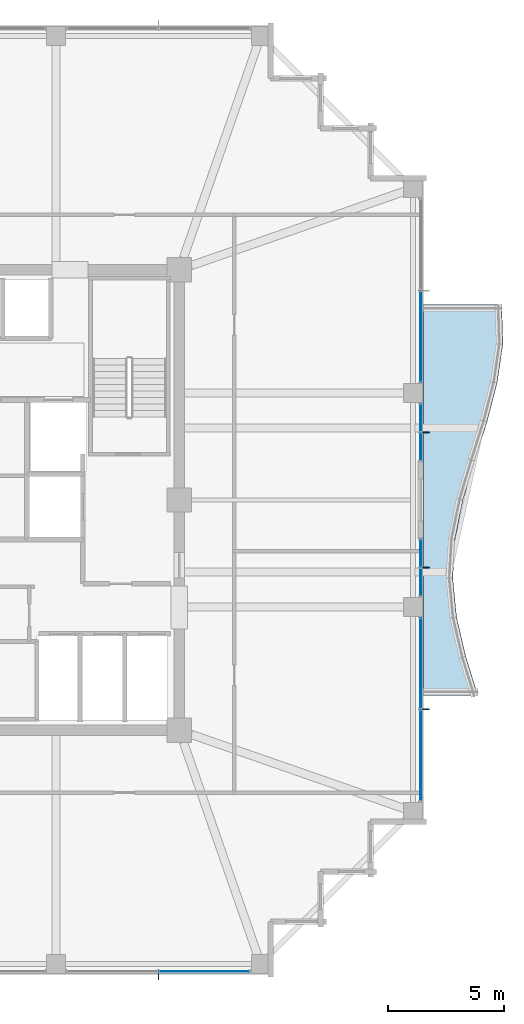
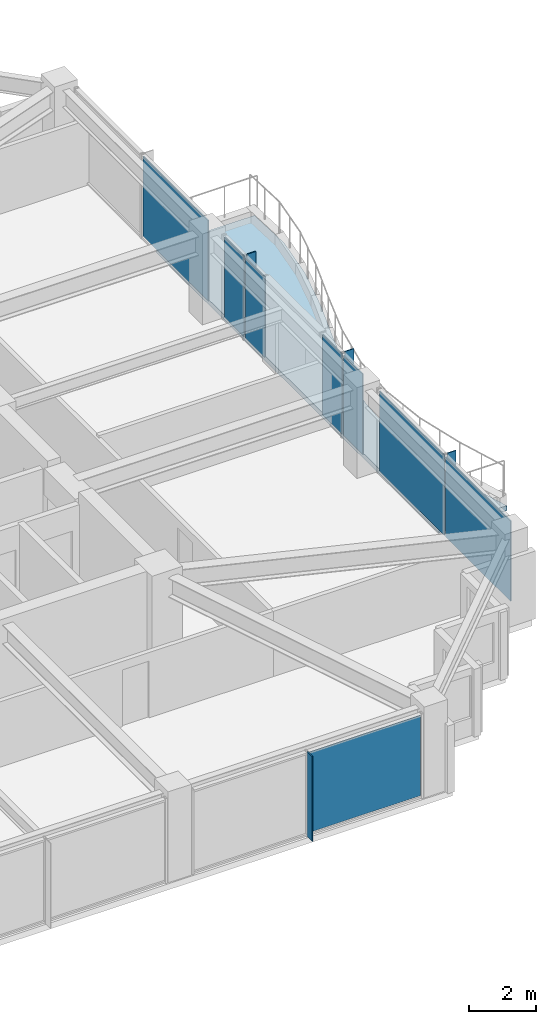
# One storey, part 25 of 34: 12 plates, 1 slab, 5 elements without a shape of their own.
"""IFC4 building model written with IfcOpenShell, lengths in metres."""

from ifc_helpers import new_model, si_unit, direction, frame, origin, origin_2d, place, context, subcontext, project, spatial, polyline, rectangle, outline, extrude, material, layer, layer_set, type_object, element, aggregate, save


model = new_model("IFC4")

# Units and contexts
model_context = context("Model", 3, precision=1e-05, world=origin(), true_north=direction((0.0, 1.0)))
body_context = subcontext(model_context, "Body", "Model", "MODEL_VIEW")
ifc_project = project(units=[si_unit("LENGTHUNIT", "METRE"), si_unit("AREAUNIT", "SQUARE_METRE"), si_unit("VOLUMEUNIT", "CUBIC_METRE"), si_unit("PLANEANGLEUNIT", "RADIAN"), si_unit("MASSUNIT", "GRAM", prefix="KILO")], contexts=[model_context])

# Site, building, storey
site_placement = place(None, origin())
site = spatial("IfcSite", under=ifc_project, at=site_placement, CompositionType="ELEMENT")
building_placement = place(site_placement, origin())
building = spatial("IfcBuilding", under=site, at=building_placement, Name="Kolvaren Belvedere", CompositionType="ELEMENT")
storey_placement = place(building_placement, frame((0.0, 0.0, 222.89990234375)))
storey = spatial("IfcBuildingStorey", under=building, at=storey_placement, Name="L65", CompositionType="ELEMENT", Elevation=222.89990234375)

# Curtain wall, plate
ifc_material_1 = material(Name="Anodised pale-metal aluminium AA 6063-T6", Category="aluminium")
curtain_wall_type = type_object("IfcCurtainWallType", Name="CW-Z5-HIGH", PredefinedType="NOTDEFINED", material=ifc_material_1)
curtain_wall_1_placement = place(storey_placement, origin())
curtain_wall_1 = element("IfcCurtainWall", 1, at=curtain_wall_1_placement, inside=storey, type_object=curtain_wall_type, Name="L65 Unitised Curtain Wall FCW-L65-S-B1", PredefinedType="NOTDEFINED")
ifc_material_2 = material(Name="Low-iron triple insulated glass", Category="glass")
ifc_layer_1 = layer(ifc_material_2, 0.028076171875)
ifc_layer_set_1 = layer_set([ifc_layer_1], Name="Low-iron triple insulated glass")
plate_type_1 = type_object("IfcPlateType", Name="CW-PNL-VIS28", PredefinedType="CURTAIN_PANEL", material=ifc_layer_set_1)
plate_1_placement = place(storey_placement, frame((10.972412109375, -20.280029296875, 0.080078125), z_axis=(0.0, 0.0, 1.0), x_axis=(-1.0, 0.0, 0.0)))
plate_1 = element("IfcPlate", 2, at=plate_1_placement, type_object=plate_type_1, Name="FCW-L65-S-B1 Vision Glazing Panel 1", PredefinedType="CURTAIN_PANEL", context=body_context, shape_type="SweptSolid", body=[
    extrude(rectangle(XDim=3.864990234375, YDim=0.028076171875, at=origin_2d()), origin(), (0.0, 0.0, 1.0), 2.919921875),
])
aggregate(curtain_wall_1, [plate_1])

curtain_wall_2_placement = place(storey_placement, origin())
curtain_wall_2 = element("IfcCurtainWall", 3, at=curtain_wall_2_placement, inside=storey, type_object=curtain_wall_type, Name="L65 Unitised Curtain Wall FCW-L65-E1-B1", PredefinedType="NOTDEFINED")
plate_2_placement = place(storey_placement, frame((20.280029296875, 7.027587890625, 0.080078125), z_axis=(0.0, 0.0, 1.0), x_axis=(0.0, -1.0, 0.0)))
plate_2 = element("IfcPlate", 4, at=plate_2_placement, type_object=plate_type_1, Name="FCW-L65-E1-B1 Vision Glazing Panel 2", PredefinedType="CURTAIN_PANEL", context=body_context, shape_type="SweptSolid", body=[
    extrude(rectangle(XDim=3.864990234375, YDim=0.028076171875, at=origin_2d()), origin(), (0.0, 0.0, 1.0), 2.919921875),
])
aggregate(curtain_wall_2, [plate_2])

# Curtain wall, plates
curtain_wall_3_placement = place(storey_placement, origin())
curtain_wall_3 = element("IfcCurtainWall", 5, at=curtain_wall_3_placement, inside=storey, type_object=curtain_wall_type, Name="L65 Unitised Curtain Wall FCW-L65-E1-B2", PredefinedType="NOTDEFINED")
plate_3_placement = place(storey_placement, frame((20.280029296875, 3.52880859375, 0.080078125), z_axis=(0.0, 0.0, 1.0), x_axis=(0.0, -1.0, 0.0)))
plate_3 = element("IfcPlate", 6, at=plate_3_placement, type_object=plate_type_1, Name="FCW-L65-E1-B2 Vision Glazing Panel 1", PredefinedType="CURTAIN_PANEL", context=body_context, shape_type="SweptSolid", body=[
    extrude(rectangle(XDim=1.152587890625, YDim=0.028076171875, at=origin_2d()), origin(), (0.0, 0.0, 1.0), 2.919921875),
])
plate_4_placement = place(storey_placement, frame((20.280029296875, 2.296142578125, 0.080078125), z_axis=(0.0, 0.0, 1.0), x_axis=(0.0, -1.0, 0.0)))
plate_4 = element("IfcPlate", 7, at=plate_4_placement, type_object=plate_type_1, Name="FCW-L65-E1-B2 Vision Glazing Panel 2", PredefinedType="CURTAIN_PANEL", context=body_context, shape_type="SweptSolid", body=[
    extrude(rectangle(XDim=1.152587890625, YDim=0.028076171875, at=origin_2d()), origin(), (0.0, 0.0, 1.0), 2.919921875),
])
aggregate(curtain_wall_3, [plate_3, plate_4])

curtain_wall_4_placement = place(storey_placement, origin())
curtain_wall_4 = element("IfcCurtainWall", 8, at=curtain_wall_4_placement, inside=storey, type_object=curtain_wall_type, Name="L65 Unitised Curtain Wall FCW-L65-E2-B1", PredefinedType="NOTDEFINED")
plate_5_placement = place(storey_placement, frame((20.280029296875, -2.296142578125, 0.080078125), z_axis=(0.0, 0.0, 1.0), x_axis=(0.0, -1.0, 0.0)))
plate_5 = element("IfcPlate", 9, at=plate_5_placement, type_object=plate_type_1, Name="FCW-L65-E2-B1 Vision Glazing Panel 1", PredefinedType="CURTAIN_PANEL", context=body_context, shape_type="SweptSolid", body=[
    extrude(rectangle(XDim=1.152587890625, YDim=0.028076171875, at=origin_2d()), origin(), (0.0, 0.0, 1.0), 2.919921875),
])
plate_6_placement = place(storey_placement, frame((20.280029296875, -3.52880859375, 0.080078125), z_axis=(0.0, 0.0, 1.0), x_axis=(0.0, -1.0, 0.0)))
plate_6 = element("IfcPlate", 10, at=plate_6_placement, type_object=plate_type_1, Name="FCW-L65-E2-B1 Vision Glazing Panel 2", PredefinedType="CURTAIN_PANEL", context=body_context, shape_type="SweptSolid", body=[
    extrude(rectangle(XDim=1.152587890625, YDim=0.028076171875, at=origin_2d()), origin(), (0.0, 0.0, 1.0), 2.919921875),
])
aggregate(curtain_wall_4, [plate_5, plate_6])

curtain_wall_5_placement = place(storey_placement, origin())
curtain_wall_5 = element("IfcCurtainWall", 11, at=curtain_wall_5_placement, inside=storey, type_object=curtain_wall_type, Name="L65 Unitised Curtain Wall FCW-L65-E2-B2", PredefinedType="NOTDEFINED")
plate_7_placement = place(storey_placement, frame((20.280029296875, -7.027587890625, 0.080078125), z_axis=(0.0, 0.0, 1.0), x_axis=(0.0, -1.0, 0.0)))
plate_7 = element("IfcPlate", 12, at=plate_7_placement, type_object=plate_type_1, Name="FCW-L65-E2-B2 Vision Glazing Panel 1", PredefinedType="CURTAIN_PANEL", context=body_context, shape_type="SweptSolid", body=[
    extrude(rectangle(XDim=3.864990234375, YDim=0.028076171875, at=origin_2d()), origin(), (0.0, 0.0, 1.0), 2.919921875),
])
plate_8_placement = place(storey_placement, frame((20.280029296875, -10.972412109375, 0.080078125), z_axis=(0.0, 0.0, 1.0), x_axis=(0.0, -1.0, 0.0)))
plate_8 = element("IfcPlate", 13, at=plate_8_placement, type_object=plate_type_1, Name="FCW-L65-E2-B2 Vision Glazing Panel 2", PredefinedType="CURTAIN_PANEL", context=body_context, shape_type="SweptSolid", body=[
    extrude(rectangle(XDim=3.864990234375, YDim=0.028076171875, at=origin_2d()), origin(), (0.0, 0.0, 1.0), 2.919921875),
])
aggregate(curtain_wall_5, [plate_7, plate_8])

# Plates
ifc_material_3 = material(Name="Anodised pale-metal aluminium AA 6063-T6", Category="aluminium")
ifc_layer_2 = layer(ifc_material_3, 0.030029296875)
ifc_layer_set_2 = layer_set([ifc_layer_2], Name="Anodised pale-metal aluminium AA 6063-T6")
plate_type_2 = type_object("IfcPlateType", Name="FIN-VERT-300", PredefinedType="USERDEFINED", material=ifc_layer_set_2)
for number, where, z_axis, x_axis, name in (
    (14, (9.0, -20.489990234375, 0.0), (0.0, 0.0, 1.0), (0.0, 1.0, 0.0), "L65 Pale-Metal Vertical Shading Fin FCW-L65-S-B1-1"),
    (15, (20.489990234375, 2.91259765625, 0.0), (0.0, 0.0, 1.0), (1.0, 0.0, 0.0), "L65 Pale-Metal Vertical Shading Fin FCW-L65-E1-B2-1"),
    (16, (20.489990234375, -2.91259765625, 0.0), (0.0, 0.0, 1.0), (1.0, 0.0, 0.0), "L65 Pale-Metal Vertical Shading Fin FCW-L65-E2-B1-1"),
    (17, (20.489990234375, -9.0, 0.0), (0.0, 0.0, 1.0), (1.0, 0.0, 0.0), "L65 Pale-Metal Vertical Shading Fin FCW-L65-E2-B2-1"),
):
    element("IfcPlate", number, at=place(storey_placement, frame(where, z_axis=z_axis, x_axis=x_axis)), inside=storey, type_object=plate_type_2, Name=name, ObjectType="VERTICAL FIN", PredefinedType="USERDEFINED", context=body_context, shape_type="SweptSolid", body=[
        extrude(rectangle(XDim=0.300048828125, YDim=0.030029296875, at=origin_2d()), origin(), (0.0, 0.0, 1.0), 3.080078125),
    ])

# Slab
ifc_material_4 = material(Name="Concrete C50/60", Category="concrete")
ifc_layer_3 = layer(ifc_material_4, 0.179931640625)
ifc_layer_set_3 = layer_set([ifc_layer_3], Name="Concrete C50/60")
slab_type = type_object("IfcSlabType", Name="SL-BAL-180", PredefinedType="FLOOR", material=ifc_layer_set_3)
slab_placement = place(storey_placement, frame((0.0, 0.0, -0.219970703125)))
element("IfcSlab", 18, at=slab_placement, inside=storey, type_object=slab_type, Name="L65 Planted Balcony BAL-E", PredefinedType="FLOOR", context=body_context, shape_type="SweptSolid", body=[
    extrude(outline(polyline([(22.739990234375, -8.39990234375), (22.2197265625, -6.719970703125), (21.828125, -5.0400390625), (21.662109375, -3.360107421875), (21.7626953125, -1.679931640625), (22.105224609375, 0.0), (22.6044921875, 1.679931640625), (23.1376953125, 3.360107421875), (23.572265625, 5.0400390625), (23.820068359375, 6.719970703125), (23.76708984375, 8.39990234375), (20.39990234375, 8.39990234375), (20.39990234375, 6.719970703125), (20.39990234375, 5.0400390625), (20.39990234375, 3.360107421875), (20.39990234375, 1.679931640625), (20.39990234375, 0.0), (20.39990234375, -1.679931640625), (20.39990234375, -3.360107421875), (20.39990234375, -5.0400390625), (20.39990234375, -6.719970703125), (20.39990234375, -8.39990234375), (22.739990234375, -8.39990234375)])), origin(), (0.0, 0.0, 1.0), 0.18017578125),
])

save(model, "model.ifc")
